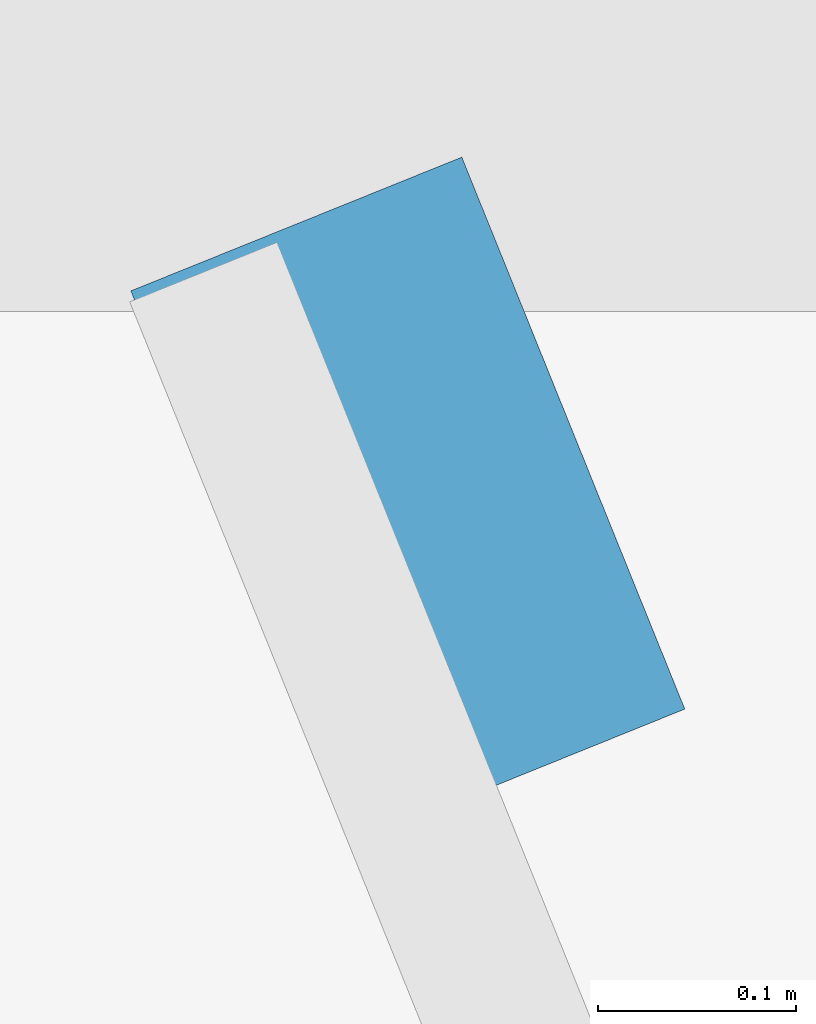
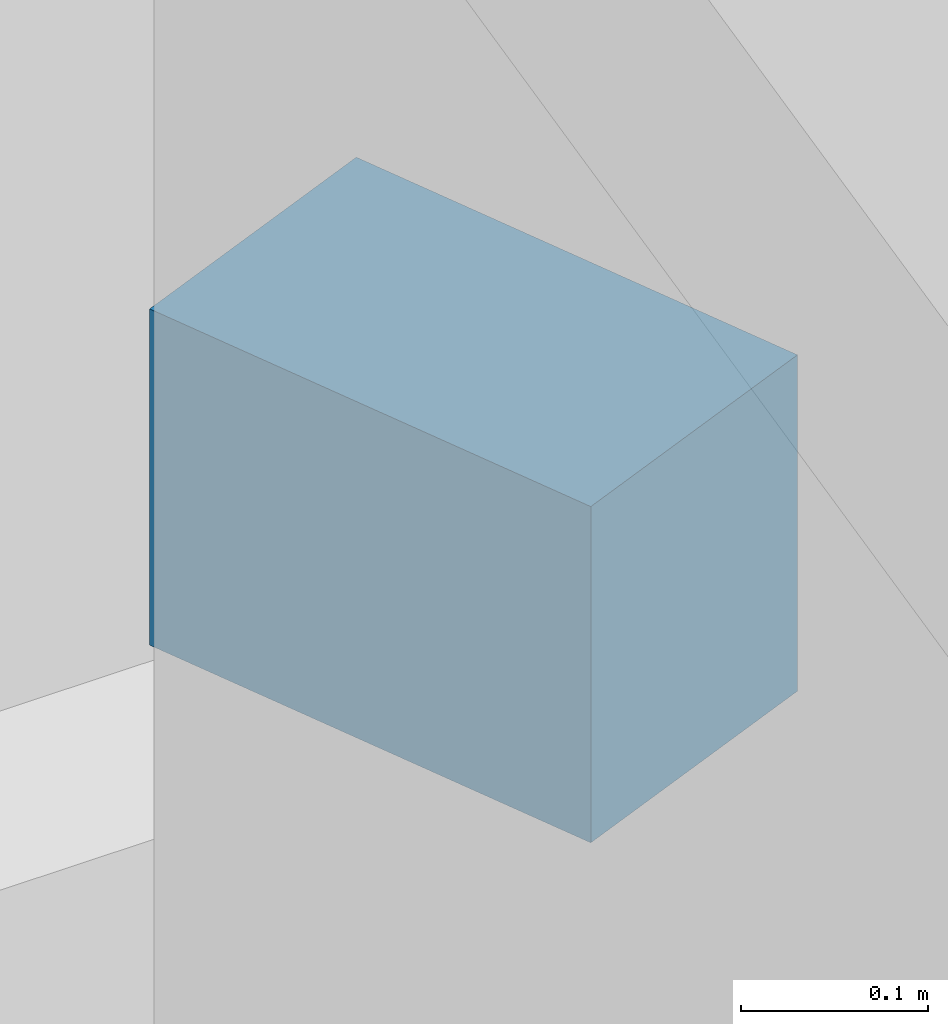
# One storey, part 63 of 70: 1 discrete accessory.
"""IFC4 building model written with IfcOpenShell, lengths in metres."""

from ifc_helpers import new_model, si_unit, direction, frame, origin, origin_2d, place, context, subcontext, project, spatial, rectangle, extrude, material, type_object, element, save


model = new_model("IFC4")

# Units and contexts
model_context = context("Model", 3, precision=1e-05, world=origin(), true_north=direction((0.0, 1.0)))
body_context = subcontext(model_context, "Body", "Model", "MODEL_VIEW")
ifc_project = project(units=[si_unit("LENGTHUNIT", "METRE"), si_unit("AREAUNIT", "SQUARE_METRE"), si_unit("VOLUMEUNIT", "CUBIC_METRE"), si_unit("PLANEANGLEUNIT", "RADIAN"), si_unit("MASSUNIT", "GRAM", prefix="KILO")], contexts=[model_context])

# Site, building, storey
site_placement = place(None, origin())
site = spatial("IfcSite", under=ifc_project, at=site_placement, CompositionType="ELEMENT")
building_placement = place(site_placement, origin())
building = spatial("IfcBuilding", under=site, at=building_placement, Name="Vaudrelin Polytechnic", CompositionType="ELEMENT")
storey_placement = place(building_placement, frame((0.0, 0.0, 14.110107421875)))
storey = spatial("IfcBuildingStorey", under=building, at=storey_placement, Name="L03", CompositionType="ELEMENT", Elevation=14.110107421875)

# Discrete accessory
ifc_material = material(Name="Galvanised steel CSA G40.21 350W", Category="steel")
discrete_accessory_type = type_object("IfcDiscreteAccessoryType", Name="ENV-BRK-01", PredefinedType="BRACKET", material=ifc_material)
discrete_accessory_placement = place(storey_placement, frame((141.75, 121.205078125, 0.98974609375), z_axis=(0.0, 0.0, 1.0), x_axis=(0.374606593416, -0.927183854567, 0.0)))
element("IfcDiscreteAccessory", 1, at=discrete_accessory_placement, inside=storey, type_object=discrete_accessory_type, Name="Solar fin support bracket BRK-032", PredefinedType="BRACKET", context=body_context, shape_type="SweptSolid", body=[
    extrude(rectangle(XDim=0.300048828125, YDim=0.179931640625, at=origin_2d()), origin(), (0.0, 0.0, 1.0), 0.219970703125),
])

save(model, "model.ifc")
